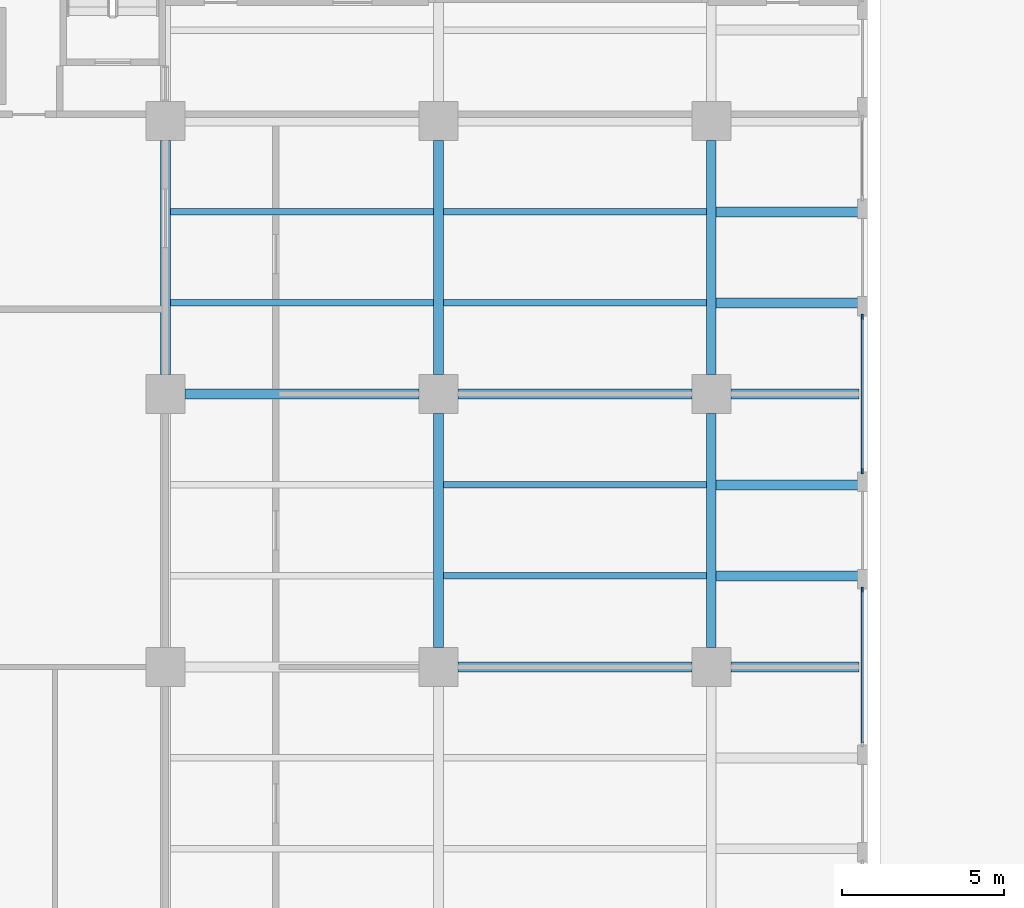
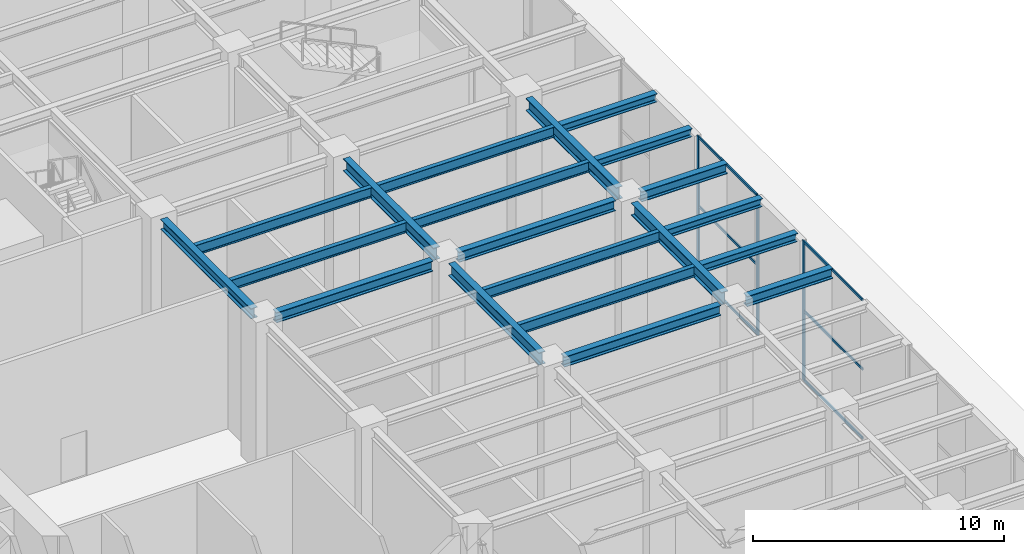
# One storey, part 14 of 43: 20 beams, 9 members, 2 elements without a shape of their own.
"""IFC4 building model written with IfcOpenShell, lengths in metres."""

from ifc_helpers import new_model, si_unit, direction, frame, origin, origin_2d, place, context, subcontext, project, spatial, rectangle, i_section, extrude, material, material_profile, profile_set, type_object, element, aggregate, save


model = new_model("IFC4")

# Units and contexts
model_context = context("Model", 3, precision=1e-05, world=origin(), true_north=direction((0.0, 1.0)))
body_context = subcontext(model_context, "Body", "Model", "MODEL_VIEW")
ifc_project = project(units=[si_unit("LENGTHUNIT", "METRE"), si_unit("AREAUNIT", "SQUARE_METRE"), si_unit("VOLUMEUNIT", "CUBIC_METRE"), si_unit("PLANEANGLEUNIT", "RADIAN"), si_unit("MASSUNIT", "GRAM", prefix="KILO")], contexts=[model_context])

# Site, building, storey
site_placement = place(None, origin())
site = spatial("IfcSite", under=ifc_project, at=site_placement, CompositionType="ELEMENT")
building_placement = place(site_placement, origin())
building = spatial("IfcBuilding", under=site, at=building_placement, Name="Khepri Terraces", CompositionType="ELEMENT")
storey_placement = place(building_placement, origin())
storey = spatial("IfcBuildingStorey", under=building, at=storey_placement, Name="L00", CompositionType="ELEMENT", Elevation=0.0)

# Curtain wall, member
ifc_material_1 = material(Name="Anodised aluminium bronze curtain wall", Category="aluminium")
curtain_wall_type = type_object("IfcCurtainWallType", Name="CW-SYS1-LOBBY", PredefinedType="NOTDEFINED", material=ifc_material_1)
curtain_wall_1_placement = place(storey_placement, origin())
curtain_wall_1 = element("IfcCurtainWall", 1, at=curtain_wall_1_placement, inside=storey, type_object=curtain_wall_type, Name="Curtain wall CW1 L00 E", PredefinedType="NOTDEFINED")
ifc_material_2 = material(Name="Anodised aluminium bronze", Category="aluminium")
ifc_material_profile_1 = material_profile(ifc_material_2, rectangle(XDim=0.06005859375, YDim=0.159912109375, at=origin_2d()), Name="Anodised aluminium bronze", Category="aluminium")
ifc_profile_set_1 = profile_set([ifc_material_profile_1], Name="Anodised aluminium bronze")
member_type_1 = type_object("IfcMemberType", Name="CW-MULLION-60x160", PredefinedType="MULLION", material=ifc_profile_set_1)
member_1_placement = place(storey_placement, frame((46.64990234375, 2.3701171875, 0.0), z_axis=(0.0, 0.0, 1.0), x_axis=(-1.0, 0.0, 0.0)))
member_1 = element("IfcMember", 2, at=member_1_placement, type_object=member_type_1, Name="CW1 mullion 2", PredefinedType="MULLION", context=body_context, shape_type="SweptSolid", body=[
    extrude(rectangle(XDim=0.06005859375, YDim=0.159912109375, at=origin_2d()), origin(), (0.0, 0.0, 1.0), 6.780029296875),
])

# Curtain wall, members
curtain_wall_2_placement = place(storey_placement, origin())
curtain_wall_2 = element("IfcCurtainWall", 3, at=curtain_wall_2_placement, inside=storey, type_object=curtain_wall_type, Name="Curtain wall CW1 L00 E", PredefinedType="NOTDEFINED")
member_2_placement = place(storey_placement, frame((46.64990234375, 6.030029296875, 0.0), z_axis=(0.0, 0.0, 1.0), x_axis=(-1.0, 0.0, 0.0)))
member_2 = element("IfcMember", 4, at=member_2_placement, type_object=member_type_1, Name="CW1 mullion 1", PredefinedType="MULLION", context=body_context, shape_type="SweptSolid", body=[
    extrude(rectangle(XDim=0.06005859375, YDim=0.159912109375, at=origin_2d()), origin(), (0.0, 0.0, 1.0), 6.780029296875),
])
member_3_placement = place(storey_placement, frame((46.64990234375, 10.77001953125, 0.0), z_axis=(0.0, 0.0, 1.0), x_axis=(-1.0, 0.0, 0.0)))
member_3 = element("IfcMember", 5, at=member_3_placement, type_object=member_type_1, Name="CW1 mullion 2", PredefinedType="MULLION", context=body_context, shape_type="SweptSolid", body=[
    extrude(rectangle(XDim=0.06005859375, YDim=0.159912109375, at=origin_2d()), origin(), (0.0, 0.0, 1.0), 6.780029296875),
])

# Member
ifc_material_profile_2 = material_profile(ifc_material_2, rectangle(XDim=0.06005859375, YDim=0.1201171875, at=origin_2d()), Name="Anodised aluminium bronze", Category="aluminium")
ifc_profile_set_2 = profile_set([ifc_material_profile_2], Name="Anodised aluminium bronze")
member_type_2 = type_object("IfcMemberType", Name="CW-TRANSOM-60x120", PredefinedType="USERDEFINED", material=ifc_profile_set_2)
member_4_placement = place(storey_placement, frame((46.64990234375, -2.340087890625, 0.030029296875), z_axis=(0.0, 1.0, 0.0), x_axis=(-1.0, 0.0, 0.0)))
member_4 = element("IfcMember", 6, at=member_4_placement, type_object=member_type_2, Name="CW1 transom 1.1", ObjectType="TRANSOM", PredefinedType="USERDEFINED", context=body_context, shape_type="SweptSolid", body=[
    extrude(rectangle(XDim=0.06005859375, YDim=0.1201171875, at=origin_2d()), origin(), (0.0, 0.0, 1.0), 4.68017578125),
])

member_5_placement = place(storey_placement, frame((46.64990234375, -2.340087890625, 3.389892578125), z_axis=(0.0, 1.0, 0.0), x_axis=(-1.0, 0.0, 0.0)))
member_5 = element("IfcMember", 7, at=member_5_placement, type_object=member_type_2, Name="CW1 transom 1.2", ObjectType="TRANSOM", PredefinedType="USERDEFINED", context=body_context, shape_type="SweptSolid", body=[
    extrude(rectangle(XDim=0.06005859375, YDim=0.1201171875, at=origin_2d()), origin(), (0.0, 0.0, 1.0), 4.68017578125),
])

member_6_placement = place(storey_placement, frame((46.64990234375, -2.340087890625, 6.75), z_axis=(0.0, 1.0, 0.0), x_axis=(-1.0, 0.0, 0.0)))
member_6 = element("IfcMember", 8, at=member_6_placement, type_object=member_type_2, Name="CW1 transom 1.3", ObjectType="TRANSOM", PredefinedType="USERDEFINED", context=body_context, shape_type="SweptSolid", body=[
    extrude(rectangle(XDim=0.06005859375, YDim=0.1201171875, at=origin_2d()), origin(), (0.0, 0.0, 1.0), 4.68017578125),
])

aggregate(curtain_wall_1, [member_1, member_4, member_5, member_6])

member_7_placement = place(storey_placement, frame((46.64990234375, 6.06005859375, 0.030029296875), z_axis=(0.0, 1.0, 0.0), x_axis=(-1.0, 0.0, 0.0)))
member_7 = element("IfcMember", 9, at=member_7_placement, type_object=member_type_2, Name="CW1 transom 1.1", ObjectType="TRANSOM", PredefinedType="USERDEFINED", context=body_context, shape_type="SweptSolid", body=[
    extrude(rectangle(XDim=0.06005859375, YDim=0.1201171875, at=origin_2d()), origin(), (0.0, 0.0, 1.0), 4.679931640625),
])

member_8_placement = place(storey_placement, frame((46.64990234375, 6.06005859375, 3.389892578125), z_axis=(0.0, 1.0, 0.0), x_axis=(-1.0, 0.0, 0.0)))
member_8 = element("IfcMember", 10, at=member_8_placement, type_object=member_type_2, Name="CW1 transom 1.2", ObjectType="TRANSOM", PredefinedType="USERDEFINED", context=body_context, shape_type="SweptSolid", body=[
    extrude(rectangle(XDim=0.06005859375, YDim=0.1201171875, at=origin_2d()), origin(), (0.0, 0.0, 1.0), 4.679931640625),
])

member_9_placement = place(storey_placement, frame((46.64990234375, 6.06005859375, 6.75), z_axis=(0.0, 1.0, 0.0), x_axis=(-1.0, 0.0, 0.0)))
member_9 = element("IfcMember", 11, at=member_9_placement, type_object=member_type_2, Name="CW1 transom 1.3", ObjectType="TRANSOM", PredefinedType="USERDEFINED", context=body_context, shape_type="SweptSolid", body=[
    extrude(rectangle(XDim=0.06005859375, YDim=0.1201171875, at=origin_2d()), origin(), (0.0, 0.0, 1.0), 4.679931640625),
])

aggregate(curtain_wall_2, [member_2, member_3, member_7, member_8, member_9])

# Beams
ifc_material_3 = material(Name="Steel S355", Category="steel")
ifc_material_profile_3 = material_profile(ifc_material_3, i_section(OverallWidth=0.300048828125, OverallDepth=0.39990234375, WebThickness=0.013427734375, FlangeThickness=0.02392578125, FilletRadius=0.027099609375, at=origin_2d()), Name="Steel S355", Category="steel")
ifc_profile_set_3 = profile_set([ifc_material_profile_3], Name="Steel S355")
beam_type_1 = type_object("IfcBeamType", Name="Podium cantilever joist L01 HEB 400", PredefinedType="JOIST", material=ifc_profile_set_3)
for number, where, z_axis, x_axis, name in (
    (12, (42.14990234375, 2.800048828125, 6.800048828125), (1.0, 0.0, 0.0), (0.0, 1.0, 0.0), "Podium cantilever joist L01 148"),
    (13, (42.14990234375, 5.60009765625, 6.800048828125), (1.0, 0.0, 0.0), (0.0, 1.0, 0.0), "Podium cantilever joist L01 154"),
    (14, (42.14990234375, 11.199951171875, 6.800048828125), (1.0, 0.0, 0.0), (0.0, 1.0, 0.0), "Podium cantilever joist L01 166"),
    (15, (42.14990234375, 14.0, 6.800048828125), (1.0, 0.0, 0.0), (0.0, 1.0, 0.0), "Podium cantilever joist L01 172"),
):
    element("IfcBeam", number, at=place(storey_placement, frame(where, z_axis=z_axis, x_axis=x_axis)), inside=storey, type_object=beam_type_1, Name=name, PredefinedType="JOIST", context=body_context, shape_type="SweptSolid", body=[
        extrude(i_section(OverallWidth=0.300048828125, OverallDepth=0.39990234375, WebThickness=0.013427734375, FlangeThickness=0.02392578125, FilletRadius=0.027099609375, at=origin_2d()), origin(), (0.0, 0.0, 1.0), 4.400146484375),
    ])
ifc_material_profile_4 = material_profile(ifc_material_3, i_section(OverallWidth=0.300048828125, OverallDepth=0.60009765625, WebThickness=0.015380859375, FlangeThickness=0.030029296875, FilletRadius=0.027099609375, at=origin_2d()), Name="Steel S355", Category="steel")
ifc_profile_set_4 = profile_set([ifc_material_profile_4], Name="Steel S355")
beam_type_2 = type_object("IfcBeamType", Name="Podium girder L01 HEB 600", PredefinedType="BEAM", material=ifc_profile_set_4)
for number, where, z_axis, x_axis, name in (
    (16, (33.60009765625, 0.60009765625, 6.699951171875), (0.0, 1.0, 0.0), (-1.0, 0.0, 0.0), "Podium girder L01 081"),
    (17, (33.60009765625, 9.0, 6.699951171875), (0.0, 1.0, 0.0), (-1.0, 0.0, 0.0), "Podium girder L01 082"),
    (18, (42.0, 0.60009765625, 6.699951171875), (0.0, 1.0, 0.0), (-1.0, 0.0, 0.0), "Podium girder L01 093"),
    (19, (42.0, 9.0, 6.699951171875), (0.0, 1.0, 0.0), (-1.0, 0.0, 0.0), "Podium girder L01 094"),
):
    element("IfcBeam", number, at=place(storey_placement, frame(where, z_axis=z_axis, x_axis=x_axis)), inside=storey, type_object=beam_type_2, Name=name, PredefinedType="BEAM", context=body_context, shape_type="SweptSolid", body=[
        extrude(i_section(OverallWidth=0.300048828125, OverallDepth=0.60009765625, WebThickness=0.015380859375, FlangeThickness=0.030029296875, FilletRadius=0.027099609375, at=origin_2d()), origin(), (0.0, 0.0, 1.0), 7.199951171875),
    ])
ifc_material_profile_5 = material_profile(ifc_material_3, i_section(OverallWidth=0.300048828125, OverallDepth=0.5, WebThickness=0.014404296875, FlangeThickness=0.028076171875, FilletRadius=0.027099609375, at=origin_2d()), Name="Steel S355", Category="steel")
ifc_profile_set_5 = profile_set([ifc_material_profile_5], Name="Steel S355")
beam_type_3 = type_object("IfcBeamType", Name="Podium girder L01 grid line HEB 500", PredefinedType="BEAM", material=ifc_profile_set_5)
beam_1_placement = place(storey_placement, frame((34.199951171875, 0.0, 6.75), z_axis=(1.0, 0.0, 0.0), x_axis=(0.0, 1.0, 0.0)))
element("IfcBeam", 20, at=beam_1_placement, inside=storey, type_object=beam_type_3, Name="Podium grid-line girder L01 141", PredefinedType="BEAM", context=body_context, shape_type="SweptSolid", body=[
    extrude(i_section(OverallWidth=0.300048828125, OverallDepth=0.5, WebThickness=0.014404296875, FlangeThickness=0.028076171875, FilletRadius=0.027099609375, at=origin_2d()), origin(), (0.0, 0.0, 1.0), 7.199951171875),
])
beam_2_placement = place(storey_placement, frame((42.60009765625, 0.0, 6.75), z_axis=(1.0, 0.0, 0.0), x_axis=(0.0, 1.0, 0.0)))
element("IfcBeam", 21, at=beam_2_placement, inside=storey, type_object=beam_type_3, Name="Podium grid-line girder L01 142", PredefinedType="BEAM", context=body_context, shape_type="SweptSolid", body=[
    extrude(i_section(OverallWidth=0.300048828125, OverallDepth=0.5, WebThickness=0.014404296875, FlangeThickness=0.028076171875, FilletRadius=0.027099609375, at=origin_2d()), origin(), (0.0, 0.0, 1.0), 3.949951171875),
])
for number, where, z_axis, x_axis, name in (
    (22, (25.800048828125, 8.39990234375, 6.75), (1.0, 0.0, 0.0), (0.0, 1.0, 0.0), "Podium grid-line girder L01 158"),
    (23, (34.199951171875, 8.39990234375, 6.75), (1.0, 0.0, 0.0), (0.0, 1.0, 0.0), "Podium grid-line girder L01 159"),
):
    element("IfcBeam", number, at=place(storey_placement, frame(where, z_axis=z_axis, x_axis=x_axis)), inside=storey, type_object=beam_type_3, Name=name, PredefinedType="BEAM", context=body_context, shape_type="SweptSolid", body=[
        extrude(i_section(OverallWidth=0.300048828125, OverallDepth=0.5, WebThickness=0.014404296875, FlangeThickness=0.028076171875, FilletRadius=0.027099609375, at=origin_2d()), origin(), (0.0, 0.0, 1.0), 7.199951171875),
    ])
beam_3_placement = place(storey_placement, frame((42.60009765625, 8.39990234375, 6.75), z_axis=(1.0, 0.0, 0.0), x_axis=(0.0, 1.0, 0.0)))
element("IfcBeam", 24, at=beam_3_placement, inside=storey, type_object=beam_type_3, Name="Podium grid-line girder L01 160", PredefinedType="BEAM", context=body_context, shape_type="SweptSolid", body=[
    extrude(i_section(OverallWidth=0.300048828125, OverallDepth=0.5, WebThickness=0.014404296875, FlangeThickness=0.028076171875, FilletRadius=0.027099609375, at=origin_2d()), origin(), (0.0, 0.0, 1.0), 3.949951171875),
])
ifc_material_profile_6 = material_profile(ifc_material_3, i_section(OverallWidth=0.199951171875, OverallDepth=0.5, WebThickness=0.01025390625, FlangeThickness=0.01611328125, FilletRadius=0.02099609375, at=origin_2d()), Name="Steel S355", Category="steel")
ifc_profile_set_6 = profile_set([ifc_material_profile_6], Name="Steel S355")
beam_type_4 = type_object("IfcBeamType", Name="Podium joist L01 IPE 500", PredefinedType="JOIST", material=ifc_profile_set_6)
for number, where, z_axis, x_axis, name in (
    (25, (33.75, 2.800048828125, 6.75), (1.0, 0.0, 0.0), (0.0, 1.0, 0.0), "Podium joist L01 147"),
    (26, (33.75, 5.60009765625, 6.75), (1.0, 0.0, 0.0), (0.0, 1.0, 0.0), "Podium joist L01 153"),
):
    element("IfcBeam", number, at=place(storey_placement, frame(where, z_axis=z_axis, x_axis=x_axis)), inside=storey, type_object=beam_type_4, Name=name, PredefinedType="JOIST", context=body_context, shape_type="SweptSolid", body=[
        extrude(i_section(OverallWidth=0.199951171875, OverallDepth=0.5, WebThickness=0.01025390625, FlangeThickness=0.01611328125, FilletRadius=0.02099609375, at=origin_2d()), origin(), (0.0, 0.0, 1.0), 8.10009765625),
    ])
beam_4_placement = place(storey_placement, frame((25.35009765625, 11.199951171875, 6.75), z_axis=(1.0, 0.0, 0.0), x_axis=(0.0, 1.0, 0.0)))
element("IfcBeam", 27, at=beam_4_placement, inside=storey, type_object=beam_type_4, Name="Podium joist L01 164", PredefinedType="JOIST", context=body_context, shape_type="SweptSolid", body=[
    extrude(i_section(OverallWidth=0.199951171875, OverallDepth=0.5, WebThickness=0.01025390625, FlangeThickness=0.01611328125, FilletRadius=0.02099609375, at=origin_2d()), origin(), (0.0, 0.0, 1.0), 8.099853515625),
])
beam_5_placement = place(storey_placement, frame((33.75, 11.199951171875, 6.75), z_axis=(1.0, 0.0, 0.0), x_axis=(0.0, 1.0, 0.0)))
element("IfcBeam", 28, at=beam_5_placement, inside=storey, type_object=beam_type_4, Name="Podium joist L01 165", PredefinedType="JOIST", context=body_context, shape_type="SweptSolid", body=[
    extrude(i_section(OverallWidth=0.199951171875, OverallDepth=0.5, WebThickness=0.01025390625, FlangeThickness=0.01611328125, FilletRadius=0.02099609375, at=origin_2d()), origin(), (0.0, 0.0, 1.0), 8.10009765625),
])
beam_6_placement = place(storey_placement, frame((25.35009765625, 14.0, 6.75), z_axis=(1.0, 0.0, 0.0), x_axis=(0.0, 1.0, 0.0)))
element("IfcBeam", 29, at=beam_6_placement, inside=storey, type_object=beam_type_4, Name="Podium joist L01 170", PredefinedType="JOIST", context=body_context, shape_type="SweptSolid", body=[
    extrude(i_section(OverallWidth=0.199951171875, OverallDepth=0.5, WebThickness=0.01025390625, FlangeThickness=0.01611328125, FilletRadius=0.02099609375, at=origin_2d()), origin(), (0.0, 0.0, 1.0), 8.099853515625),
])
beam_7_placement = place(storey_placement, frame((33.75, 14.0, 6.75), z_axis=(1.0, 0.0, 0.0), x_axis=(0.0, 1.0, 0.0)))
element("IfcBeam", 30, at=beam_7_placement, inside=storey, type_object=beam_type_4, Name="Podium joist L01 171", PredefinedType="JOIST", context=body_context, shape_type="SweptSolid", body=[
    extrude(i_section(OverallWidth=0.199951171875, OverallDepth=0.5, WebThickness=0.01025390625, FlangeThickness=0.01611328125, FilletRadius=0.02099609375, at=origin_2d()), origin(), (0.0, 0.0, 1.0), 8.10009765625),
])
ifc_material_profile_7 = material_profile(ifc_material_3, i_section(OverallWidth=0.300048828125, OverallDepth=0.5, WebThickness=0.014404296875, FlangeThickness=0.028076171875, FilletRadius=0.027099609375, at=origin_2d()), Name="Steel S355", Category="steel")
ifc_profile_set_7 = profile_set([ifc_material_profile_7], Name="Steel S355")
beam_type_5 = type_object("IfcBeamType", Name="Tower ring beam HEB 500", PredefinedType="BEAM", material=ifc_profile_set_7)
beam_8_placement = place(storey_placement, frame((25.199951171875, 9.0, 6.75), z_axis=(0.0, 1.0, 0.0), x_axis=(-1.0, 0.0, 0.0)))
element("IfcBeam", 31, at=beam_8_placement, inside=storey, type_object=beam_type_5, Name="Ring beam L01 071", PredefinedType="BEAM", context=body_context, shape_type="SweptSolid", body=[
    extrude(i_section(OverallWidth=0.300048828125, OverallDepth=0.5, WebThickness=0.014404296875, FlangeThickness=0.028076171875, FilletRadius=0.027099609375, at=origin_2d()), origin(), (0.0, 0.0, 1.0), 7.199951171875),
])

save(model, "model.ifc")
